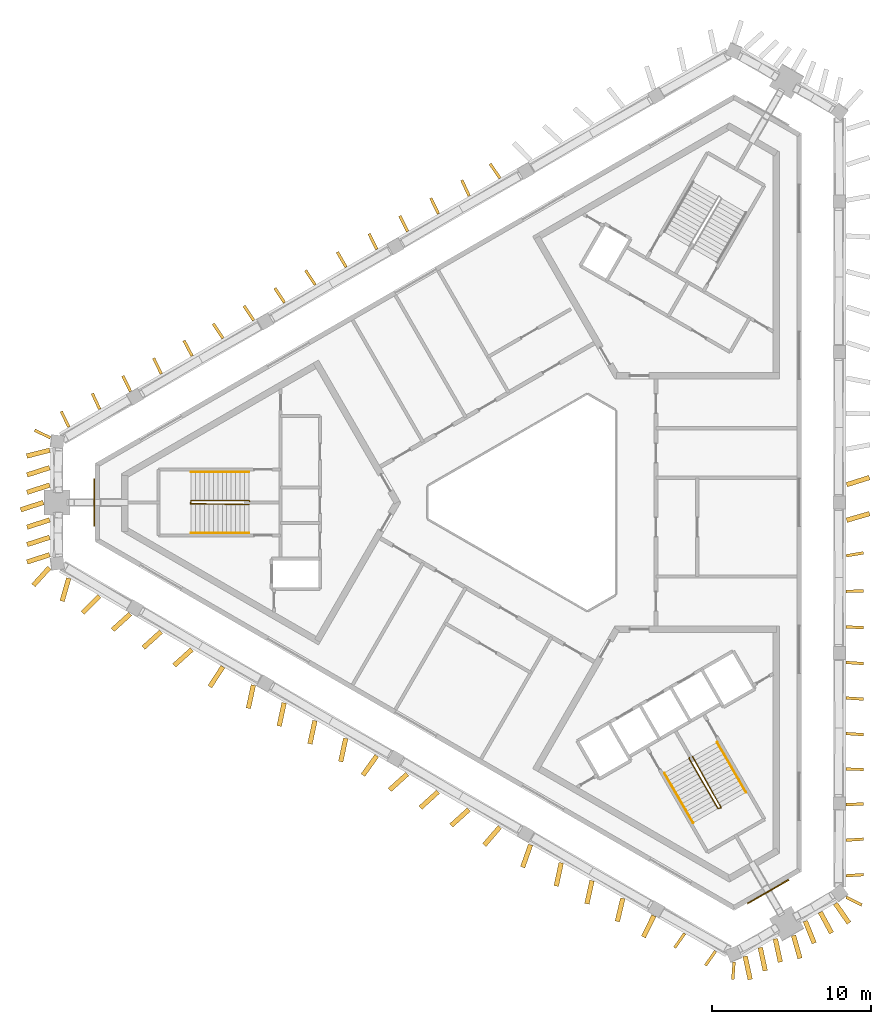
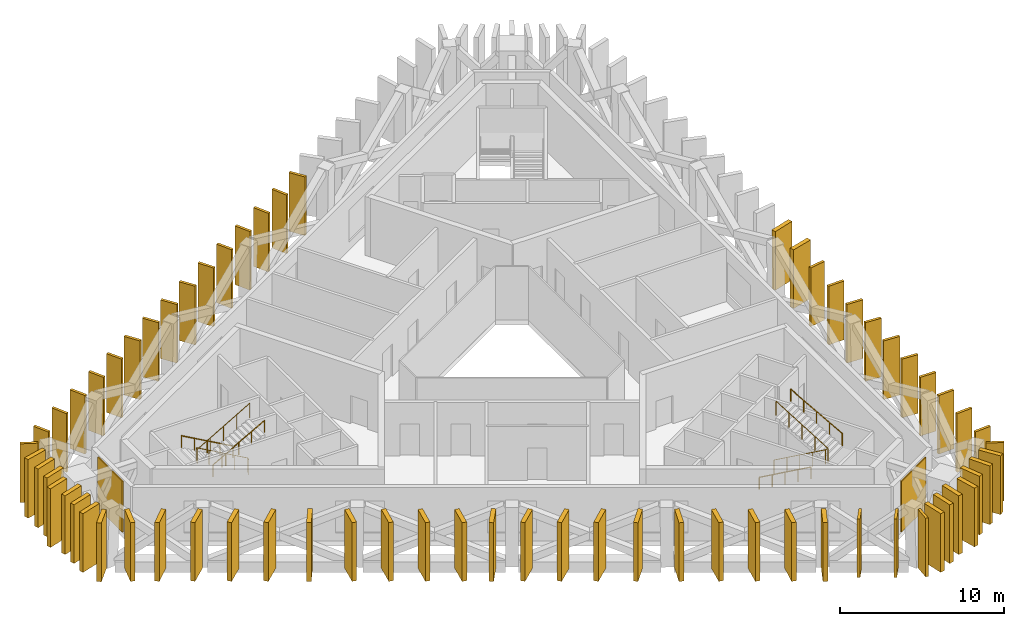
# One storey, part 7 of 8: 67 shading devices, 6 railings, 2 coverings.
"""IFC4 building model written with IfcOpenShell, lengths in metres."""

import ifcopenshell
import ifcopenshell.guid

model = None  # the IFC model being written
_history = None  # IfcOwnerHistory: only IFC2X3 demands one
_inside = {}  # id of a spatial element -> (the spatial element, [elements in it])
_under = {}  # id of a project, library or spatial element -> (it, [spatial elements below it])
_declared = {}  # id of a project -> (the project, [libraries it declares])
_typed = {}  # id of a type object -> (the type object, [elements of that type])
_made_of = {}  # id of a material, layer set ... -> (it, [elements and type objects made of it])


def new_model(schema):
    """Start an empty IFC model of exactly this schema.

    Asked for "IFC4X3", IfcOpenShell would pick the latest addendum, in which some entities
    have other attributes; the version numbers below select the first issue.
    IFC2X3 requires an IfcOwnerHistory on every rooted entity: one is made here for all.
    """
    global model, _history
    if schema == "IFC4X3":
        model = ifcopenshell.file(schema_version=(4, 3, 0, 0))
    else:
        model = ifcopenshell.file(schema=schema)
    _inside.clear()
    _under.clear()
    _declared.clear()
    _typed.clear()
    _made_of.clear()
    _history = None
    if model.schema == "IFC2X3":
        org = make("IfcOrganization", Name="unknown")
        user = make(
            "IfcPersonAndOrganization",
            ThePerson=make("IfcPerson", FamilyName="unknown"),
            TheOrganization=org,
        )
        app = make(
            "IfcApplication",
            ApplicationDeveloper=org,
            Version="unknown",
            ApplicationFullName="unknown",
            ApplicationIdentifier="unknown",
        )
        _history = make(
            "IfcOwnerHistory",
            OwningUser=user,
            OwningApplication=app,
            ChangeAction="ADDED",
            CreationDate=0,
        )
    return model


def make(cls, **values):
    """One entity of the class cls with the attributes given. An attribute that is None is left unset."""
    return model.create_entity(
        cls, **{name: value for name, value in values.items() if value is not None}
    )


def rooted(cls, **values):
    """An entity with a GlobalId (a new one), such as an element, a storey or a relation."""
    return make(cls, GlobalId=ifcopenshell.guid.new(), OwnerHistory=_history, **values)


def si_unit(unit_type, name, prefix=None):
    """IfcSIUnit, for example si_unit("LENGTHUNIT", "METRE", prefix="MILLI")."""
    return make("IfcSIUnit", UnitType=unit_type, Prefix=prefix, Name=name)


def assignment(units):
    """IfcUnitAssignment: the units of a project."""
    return None if units is None else make("IfcUnitAssignment", Units=units)


def point(xyz):
    """IfcCartesianPoint."""
    return None if xyz is None else make("IfcCartesianPoint", Coordinates=xyz)


def direction(xyz):
    """IfcDirection."""
    return None if xyz is None else make("IfcDirection", DirectionRatios=xyz)


def frame(location, z_axis=None, x_axis=None):
    """IfcAxis2Placement3D, a coordinate frame: its origin and axes. An axis left out is left unset."""
    return make(
        "IfcAxis2Placement3D",
        Location=point(location),
        Axis=direction(z_axis),
        RefDirection=direction(x_axis),
    )


def frame_2d(location, x_axis=None):
    """IfcAxis2Placement2D, a coordinate frame in the plane: its origin and x axis."""
    return make(
        "IfcAxis2Placement2D", Location=point(location), RefDirection=direction(x_axis)
    )


def origin():
    """The frame at (0, 0, 0) with its axes left unset."""
    return frame((0.0, 0.0, 0.0))


def origin_2d():
    """The frame at (0, 0) in the plane with its x axis left unset."""
    return frame_2d((0.0, 0.0))


def place(relative_to, where):
    """IfcLocalPlacement: puts the frame where relative to a parent placement (None: the world)."""
    return make(
        "IfcLocalPlacement", PlacementRelTo=relative_to, RelativePlacement=where
    )


def context(
    kind, dimensions, precision=None, world=None, true_north=None, identifier=None
):
    """IfcGeometricRepresentationContext, for example the 3D "Model" context."""
    return make(
        "IfcGeometricRepresentationContext",
        ContextIdentifier=identifier,
        ContextType=kind,
        CoordinateSpaceDimension=dimensions,
        Precision=precision,
        WorldCoordinateSystem=world,
        TrueNorth=true_north,
    )


def subcontext(parent, identifier, kind, view, scale=None):
    """IfcGeometricRepresentationSubContext, for example "Body" below "Model"."""
    return make(
        "IfcGeometricRepresentationSubContext",
        ContextIdentifier=identifier,
        ContextType=kind,
        ParentContext=parent,
        TargetScale=scale,
        TargetView=view,
    )


def project(units=None, contexts=None):
    """IfcProject with its units and contexts."""
    return rooted(
        "IfcProject",
        Name="project",
        RepresentationContexts=contexts,
        UnitsInContext=assignment(units),
    )


def spatial(cls, under=None, at=None, **own):
    """A site, building, storey or space (cls), placed at a placement, below another one or the project."""
    s = rooted(cls, ObjectPlacement=at, **own)
    if under is not None:
        _under.setdefault(under.id(), (under, []))[1].append(s)
    return s


def profile(cls, at=None, kind="AREA", **sizes):
    """A parametric profile (cls). Its sizes go by their IFC names, for example OverallWidth=200.0."""
    return make(cls, ProfileType=kind, Position=at, **sizes)


def rectangle(**sizes):
    """IfcRectangleProfileDef."""
    return profile("IfcRectangleProfileDef", **sizes)


def circle(**sizes):
    """IfcCircleProfileDef."""
    return profile("IfcCircleProfileDef", **sizes)


def extrude(swept, where, along, depth):
    """IfcExtrudedAreaSolid: the profile swept, set in the frame where, extruded along a direction by depth."""
    return make(
        "IfcExtrudedAreaSolid",
        SweptArea=swept,
        Position=where,
        ExtrudedDirection=direction(along),
        Depth=depth,
    )


def shape(context_of_items, identifier, shape_type, items):
    """IfcShapeRepresentation: the items that make up one representation, for example the "Body"."""
    return make(
        "IfcShapeRepresentation",
        ContextOfItems=context_of_items,
        RepresentationIdentifier=identifier,
        RepresentationType=shape_type,
        Items=items,
    )


def material(Name=None, Category=None):
    """IfcMaterial."""
    return make("IfcMaterial", Name=Name, Category=Category)


def layer(
    of_material, thickness, ventilated=None, Name=None, Category=None, Priority=None
):
    """IfcMaterialLayer: one layer of a wall or slab, of a material (None: an air gap)."""
    return make(
        "IfcMaterialLayer",
        Material=of_material,
        LayerThickness=thickness,
        IsVentilated=ventilated,
        Name=Name,
        Category=Category,
        Priority=Priority,
    )


def layer_set(layers, Name=None):
    """IfcMaterialLayerSet."""
    return make("IfcMaterialLayerSet", MaterialLayers=layers, LayerSetName=Name)


def made_of(thing, what):
    """Note that an element or type object is made of a material, layer set ...; save() writes the relation."""
    if what is not None:
        _made_of.setdefault(what.id(), (what, []))[1].append(thing)
    return thing


def type_object(cls, material=None, **own):
    """A type object (cls), such as IfcWallType, which elements share."""
    return made_of(rooted(cls, **own), material)


def element(
    cls,
    number,
    at=None,
    inside=None,
    cuts=None,
    type_object=None,
    material=None,
    context=None,
    identifier="Body",
    shape_type=None,
    held_by="IfcProductDefinitionShape",
    body=None,
    shapes=None,
    **own,
):
    """One element of the class cls, such as IfcWall. Its Tag is "e" and its number.

    at: its placement. inside: the storey or other place that contains it. cuts: it is an
    opening in that element (IfcRelVoidsElement). A single representation is given by context,
    identifier, shape_type and body (its items); several are given by shapes. held_by: the class
    of the entity that holds the representations. save() writes the other relations.
    """
    e = rooted(cls, Tag="e%d" % number, ObjectPlacement=at, **own)
    if body is not None:
        shapes = [shape(context, identifier, shape_type, body)]
    if shapes is not None:
        e.Representation = make(held_by, Representations=shapes)
    if inside is not None:
        _inside.setdefault(inside.id(), (inside, []))[1].append(e)
    if cuts is not None:
        rooted(
            "IfcRelVoidsElement", RelatingBuildingElement=cuts, RelatedOpeningElement=e
        )
    if type_object is not None:
        _typed.setdefault(type_object.id(), (type_object, []))[1].append(e)
    return made_of(e, material)


def aggregate(whole, parts):
    """IfcRelAggregates: a whole, such as a stair, and the parts it consists of."""
    return rooted("IfcRelAggregates", RelatingObject=whole, RelatedObjects=parts)


def save(model, path):
    """Write the relations noted so far, then the file.

    IfcRelAggregates (storeys below a building ...), IfcRelContainedInSpatialStructure (elements
    in a storey), IfcRelDefinesByType, IfcRelAssociatesMaterial and IfcRelDeclares: one each for
    every whole, place, type object, material and project.
    """
    for whole, parts in _under.values():
        aggregate(whole, parts)
    for where, things in _inside.values():
        rooted(
            "IfcRelContainedInSpatialStructure",
            RelatedElements=things,
            RelatingStructure=where,
        )
    for kind, things in _typed.values():
        rooted("IfcRelDefinesByType", RelatedObjects=things, RelatingType=kind)
    for what, things in _made_of.values():
        rooted("IfcRelAssociatesMaterial", RelatedObjects=things, RelatingMaterial=what)
    for by, libraries in _declared.values():
        rooted("IfcRelDeclares", RelatingContext=by, RelatedDefinitions=libraries)
    model.write(path)


model = new_model("IFC4")

# Units and contexts
model_context = context("Model", 3, precision=1e-05, world=origin(), true_north=direction((0.0, 1.0)))
body_context = subcontext(model_context, "Body", "Model", "MODEL_VIEW")
ifc_project = project(units=[si_unit("LENGTHUNIT", "METRE"), si_unit("AREAUNIT", "SQUARE_METRE"), si_unit("VOLUMEUNIT", "CUBIC_METRE"), si_unit("PLANEANGLEUNIT", "RADIAN"), si_unit("MASSUNIT", "GRAM", prefix="KILO")], contexts=[model_context])

# Site, building, storey
site_placement = place(None, origin())
site = spatial("IfcSite", under=ifc_project, at=site_placement, CompositionType="ELEMENT")
building_placement = place(site_placement, origin())
building = spatial("IfcBuilding", under=site, at=building_placement, Name="Jabali Bay Hotel Tower and Convention Centre", CompositionType="ELEMENT")
storey_placement = place(building_placement, frame((0.0, 0.0, 296.0)))
storey = spatial("IfcBuildingStorey", under=building, at=storey_placement, Name="L73", CompositionType="ELEMENT", Elevation=296.0)

# Shading devices
ifc_material_1 = material(Name="Precast concrete C60", Category="concrete")
ifc_layer_1 = layer(ifc_material_1, 0.179931640625)
ifc_layer_set_1 = layer_set([ifc_layer_1], Name="Precast concrete C60")
shading_device_type_1 = type_object("IfcShadingDeviceType", Name="Precast fin 4380 x 1100", PredefinedType="USERDEFINED", material=ifc_layer_set_1)
for number, where, z_axis, x_axis, name in (
    (1, (94.08544921875, 56.4560546875, 0.010009765625), (0.0, 0.0, 1.0), (0.998024840897, 0.062820513784, 0.0), "Fin L73 000"),
    (2, (94.08544921875, 58.6982421875, 0.010009765625), (0.0, 0.0, 1.0), (0.998038733991, 0.062599404579, 0.0), "Fin L73 001"),
    (3, (94.083740234375, 60.9404296875, 0.010009765625), (0.0, 0.0, 1.0), (0.99900437653, 0.044612281645, 0.0), "Fin L73 002"),
):
    element("IfcShadingDevice", number, at=place(storey_placement, frame(where, z_axis=z_axis, x_axis=x_axis)), inside=storey, type_object=shading_device_type_1, Name=name, ObjectType="FIN", PredefinedType="USERDEFINED", context=body_context, shape_type="SweptSolid", body=[
        extrude(rectangle(XDim=1.099853515625, YDim=0.179931640625, at=frame_2d((0.5498046875, 0.0))), origin(), (0.0, 0.0, 1.0), 4.3798828125),
    ])
shading_device_1_placement = place(storey_placement, frame((94.0810546875, 63.182861328125, 0.010009765625), z_axis=(0.0, 0.0, 1.0), x_axis=(0.999875830133, -0.015758309421, 0.0)))
element("IfcShadingDevice", 4, at=shading_device_1_placement, inside=storey, type_object=shading_device_type_1, Name="Fin L73 003", ObjectType="FIN", PredefinedType="USERDEFINED", context=body_context, shape_type="SweptSolid", body=[
    extrude(rectangle(XDim=1.10009765625, YDim=0.179931640625, at=frame_2d((0.550048828125, 0.0))), origin(), (0.0, 0.0, 1.0), 4.3798828125),
])
shading_device_2_placement = place(storey_placement, frame((94.08544921875, 65.425048828125, 0.010009765625), z_axis=(0.0, 0.0, 1.0), x_axis=(0.997996908928, -0.063262704414, 0.0)))
element("IfcShadingDevice", 5, at=shading_device_2_placement, inside=storey, type_object=shading_device_type_1, Name="Fin L73 004", ObjectType="FIN", PredefinedType="USERDEFINED", context=body_context, shape_type="SweptSolid", body=[
    extrude(rectangle(XDim=1.099853515625, YDim=0.179931640625, at=frame_2d((0.5498046875, 0.0))), origin(), (0.0, 0.0, 1.0), 4.3798828125),
])
shading_device_3_placement = place(storey_placement, frame((94.08544921875, 67.66748046875, 0.010009765625), z_axis=(0.0, 0.0, 1.0), x_axis=(0.997927148226, -0.064353763172, 0.0)))
element("IfcShadingDevice", 6, at=shading_device_3_placement, inside=storey, type_object=shading_device_type_1, Name="Fin L73 005", ObjectType="FIN", PredefinedType="USERDEFINED", context=body_context, shape_type="SweptSolid", body=[
    extrude(rectangle(XDim=1.10009765625, YDim=0.179931640625, at=frame_2d((0.550048828125, 0.0))), origin(), (0.0, 0.0, 1.0), 4.3798828125),
])
for number, where, z_axis, x_axis, name in (
    (7, (94.0859375, 69.90966796875, 0.010009765625), (0.0, 0.0, 1.0), (0.99769087642, -0.067918444535, 0.0), "Fin L73 006"),
    (8, (94.083740234375, 72.152099609375, 0.010009765625), (0.0, 0.0, 1.0), (0.999033832105, -0.043947722452, 0.0), "Fin L73 007"),
):
    element("IfcShadingDevice", number, at=place(storey_placement, frame(where, z_axis=z_axis, x_axis=x_axis)), inside=storey, type_object=shading_device_type_1, Name=name, ObjectType="FIN", PredefinedType="USERDEFINED", context=body_context, shape_type="SweptSolid", body=[
        extrude(rectangle(XDim=1.099853515625, YDim=0.179931640625, at=frame_2d((0.5498046875, 0.0))), origin(), (0.0, 0.0, 1.0), 4.3798828125),
    ])
for number, where, z_axis, x_axis, name in (
    (9, (94.081787109375, 74.394287109375, 0.010009765625), (0.0, 0.0, 1.0), (0.999723298279, 0.023522901136, 0.0), "Fin L73 008"),
    (10, (94.0947265625, 76.636474609375, 0.010009765625), (0.0, 0.0, 1.0), (0.985860980031, 0.167565294895, 0.0), "Fin L73 009"),
):
    element("IfcShadingDevice", number, at=place(storey_placement, frame(where, z_axis=z_axis, x_axis=x_axis)), inside=storey, type_object=shading_device_type_1, Name=name, ObjectType="FIN", PredefinedType="USERDEFINED", context=body_context, shape_type="SweptSolid", body=[
        extrude(rectangle(XDim=1.10009765625, YDim=0.179931640625, at=frame_2d((0.550048828125, 0.0))), origin(), (0.0, 0.0, 1.0), 4.3798828125),
    ])
shading_device_4_placement = place(storey_placement, frame((72.253173828125, 100.45361328125, 0.010009765625), z_axis=(0.0, 0.0, 1.0), x_axis=(-0.564954456902, 0.825122088922, 0.0)))
element("IfcShadingDevice", 11, at=shading_device_4_placement, inside=storey, type_object=shading_device_type_1, Name="Fin L73 036", ObjectType="FIN", PredefinedType="USERDEFINED", context=body_context, shape_type="SweptSolid", body=[
    extrude(rectangle(XDim=1.099853515625, YDim=0.179931640625, at=frame_2d((0.5498046875, 0.0))), origin(), (0.0, 0.0, 1.0), 4.3798828125),
])
shading_device_5_placement = place(storey_placement, frame((70.310791015625, 99.333251953125, 0.010009765625), z_axis=(0.0, 0.0, 1.0), x_axis=(-0.420563499352, 0.907263105727, 0.0)))
element("IfcShadingDevice", 12, at=shading_device_5_placement, inside=storey, type_object=shading_device_type_1, Name="Fin L73 037", ObjectType="FIN", PredefinedType="USERDEFINED", context=body_context, shape_type="SweptSolid", body=[
    extrude(rectangle(XDim=1.10009765625, YDim=0.179931640625, at=frame_2d((0.550048828125, 0.0))), origin(), (0.0, 0.0, 1.0), 4.3798828125),
])
shading_device_6_placement = place(storey_placement, frame((68.36962890625, 98.2109375, 0.010009765625), z_axis=(0.0, 0.0, 1.0), x_axis=(-0.43572337321, 0.900080630854, 0.0)))
element("IfcShadingDevice", 13, at=shading_device_6_placement, inside=storey, type_object=shading_device_type_1, Name="Fin L73 038", ObjectType="FIN", PredefinedType="USERDEFINED", context=body_context, shape_type="SweptSolid", body=[
    extrude(rectangle(XDim=1.099853515625, YDim=0.179931640625, at=frame_2d((0.5498046875, 0.0))), origin(), (0.0, 0.0, 1.0), 4.3798828125),
])
shading_device_7_placement = place(storey_placement, frame((66.42822265625, 97.089111328125, 0.010009765625), z_axis=(0.0, 0.0, 1.0), x_axis=(-0.442057723155, 0.896986604916, 0.0)))
element("IfcShadingDevice", 14, at=shading_device_7_placement, inside=storey, type_object=shading_device_type_1, Name="Fin L73 039", ObjectType="FIN", PredefinedType="USERDEFINED", context=body_context, shape_type="SweptSolid", body=[
    extrude(rectangle(XDim=1.10009765625, YDim=0.179931640625, at=frame_2d((0.550048828125, 0.0))), origin(), (0.0, 0.0, 1.0), 4.3798828125),
])
shading_device_8_placement = place(storey_placement, frame((64.486328125, 95.968017578125, 0.010009765625), z_axis=(0.0, 0.0, 1.0), x_axis=(-0.443925530237, 0.896063682784, 0.0)))
element("IfcShadingDevice", 15, at=shading_device_8_placement, inside=storey, type_object=shading_device_type_1, Name="Fin L73 040", ObjectType="FIN", PredefinedType="USERDEFINED", context=body_context, shape_type="SweptSolid", body=[
    extrude(rectangle(XDim=1.099853515625, YDim=0.179931640625, at=frame_2d((0.5498046875, 0.0))), origin(), (0.0, 0.0, 1.0), 4.3798828125),
])
for number, where, z_axis, x_axis, name in (
    (16, (62.54736328125, 94.841796875, 0.010009765625), (0.0, 0.0, 1.0), (-0.499767280476, 0.866159722779, 0.0), "Fin L73 041"),
    (17, (60.6025390625, 93.7255859375, 0.010009765625), (0.0, 0.0, 1.0), (-0.553316522906, 0.832971083219, 0.0), "Fin L73 042"),
    (18, (58.66064453125, 92.6044921875, 0.010009765625), (0.0, 0.0, 1.0), (-0.553316522906, 0.832971083219, 0.0), "Fin L73 043"),
    (19, (56.71875, 91.483154296875, 0.010009765625), (0.0, 0.0, 1.0), (-0.553316522906, 0.832971083219, 0.0), "Fin L73 044"),
    (20, (54.77685546875, 90.362060546875, 0.010009765625), (0.0, 0.0, 1.0), (-0.553316522906, 0.832971083219, 0.0), "Fin L73 045"),
):
    element("IfcShadingDevice", number, at=place(storey_placement, frame(where, z_axis=z_axis, x_axis=x_axis)), inside=storey, type_object=shading_device_type_1, Name=name, ObjectType="FIN", PredefinedType="USERDEFINED", context=body_context, shape_type="SweptSolid", body=[
        extrude(rectangle(XDim=1.10009765625, YDim=0.179931640625, at=frame_2d((0.550048828125, 0.0))), origin(), (0.0, 0.0, 1.0), 4.3798828125),
    ])
for number, where, z_axis, x_axis, name in (
    (21, (52.836181640625, 89.239013671875, 0.010009765625), (0.0, 0.0, 1.0), (-0.466990067403, 0.884262561091, 0.0), "Fin L73 046"),
    (22, (50.89306640625, 88.1201171875, 0.010009765625), (0.0, 0.0, 1.0), (-0.442590842644, 0.896723673161, 0.0), "Fin L73 047"),
    (23, (48.950927734375, 86.999267578125, 0.010009765625), (0.0, 0.0, 1.0), (-0.438134996006, 0.898909186334, 0.0), "Fin L73 048"),
):
    element("IfcShadingDevice", number, at=place(storey_placement, frame(where, z_axis=z_axis, x_axis=x_axis)), inside=storey, type_object=shading_device_type_1, Name=name, ObjectType="FIN", PredefinedType="USERDEFINED", context=body_context, shape_type="SweptSolid", body=[
        extrude(rectangle(XDim=1.099853515625, YDim=0.179931640625, at=frame_2d((0.5498046875, 0.0))), origin(), (0.0, 0.0, 1.0), 4.3798828125),
    ])
for number, where, z_axis, x_axis, name in (
    (24, (47.00830078125, 85.87939453125, 0.010009765625), (0.0, 0.0, 1.0), (-0.421913209911, 0.906636224349, 0.0), "Fin L73 049"),
    (25, (45.0673828125, 84.756591796875, 0.010009765625), (0.0, 0.0, 1.0), (-0.441433910619, 0.89729376603, 0.0), "Fin L73 050"),
    (26, (83.904052734375, 52.81884765625, 0.010009765625), (0.0, 0.0, 1.0), (-0.573507030513, -0.819200638399, 0.0), "Fin L73 078"),
):
    element("IfcShadingDevice", number, at=place(storey_placement, frame(where, z_axis=z_axis, x_axis=x_axis)), inside=storey, type_object=shading_device_type_1, Name=name, ObjectType="FIN", PredefinedType="USERDEFINED", context=body_context, shape_type="SweptSolid", body=[
        extrude(rectangle(XDim=1.10009765625, YDim=0.179931640625, at=frame_2d((0.550048828125, 0.0))), origin(), (0.0, 0.0, 1.0), 4.3798828125),
    ])
shading_device_9_placement = place(storey_placement, frame((85.845947265625, 51.69775390625, 0.010009765625), z_axis=(0.0, 0.0, 1.0), x_axis=(-0.573104767766, -0.819482107897, 0.0)))
element("IfcShadingDevice", 27, at=shading_device_9_placement, inside=storey, type_object=shading_device_type_1, Name="Fin L73 079", ObjectType="FIN", PredefinedType="USERDEFINED", context=body_context, shape_type="SweptSolid", body=[
    extrude(rectangle(XDim=1.099853515625, YDim=0.179931640625, at=frame_2d((0.5498046875, 0.0))), origin(), (0.0, 0.0, 1.0), 4.3798828125),
])
for number, where, z_axis, x_axis, name in (
    (28, (94.093017578125, 55.09619140625, 0.010009765625), (0.0, 0.0, 1.0), (0.895754873288, -0.444548317937, 0.0), "Fin L73 087"),
    (29, (43.896728515625, 84.0771484375, 0.010009765625), (0.0, 0.0, 1.0), (-0.900209772515, 0.435456502385, 0.0), "Fin L73 090"),
):
    element("IfcShadingDevice", number, at=place(storey_placement, frame(where, z_axis=z_axis, x_axis=x_axis)), inside=storey, type_object=shading_device_type_1, Name=name, ObjectType="FIN", PredefinedType="USERDEFINED", context=body_context, shape_type="SweptSolid", body=[
        extrude(rectangle(XDim=1.10009765625, YDim=0.179931640625, at=frame_2d((0.550048828125, 0.0))), origin(), (0.0, 0.0, 1.0), 4.3798828125),
    ])
shading_device_10_placement = place(storey_placement, frame((87.020751953125, 51.01171875, 0.010009765625), z_axis=(0.0, 0.0, 1.0), x_axis=(-0.075474228836, -0.997147752734, 0.0)))
element("IfcShadingDevice", 30, at=shading_device_10_placement, inside=storey, type_object=shading_device_type_1, Name="Fin L73 092", ObjectType="FIN", PredefinedType="USERDEFINED", context=body_context, shape_type="SweptSolid", body=[
    extrude(rectangle(XDim=1.099853515625, YDim=0.179931640625, at=frame_2d((0.5498046875, 0.0))), origin(), (0.0, 0.0, 1.0), 4.3798828125),
])
ifc_layer_2 = layer(ifc_material_1, 0.300048828125)
ifc_layer_set_2 = layer_set([ifc_layer_2], Name="Precast concrete C60")
shading_device_type_2 = type_object("IfcShadingDeviceType", Name="Precast fin 4380 x 1500", PredefinedType="USERDEFINED", material=ifc_layer_set_2)
shading_device_11_placement = place(storey_placement, frame((94.121337890625, 78.87890625, 0.010009765625), z_axis=(0.0, 0.0, 1.0), x_axis=(0.960857761515, 0.277042166712, 0.0)))
element("IfcShadingDevice", 31, at=shading_device_11_placement, inside=storey, type_object=shading_device_type_2, Name="Fin L73 010", ObjectType="FIN", PredefinedType="USERDEFINED", context=body_context, shape_type="SweptSolid", body=[
    extrude(rectangle(XDim=1.499755859375, YDim=0.300048828125, at=frame_2d((0.75, 0.0))), origin(), (0.0, 0.0, 1.0), 4.3798828125),
])
for number, where, z_axis, x_axis, name in (
    (32, (94.124755859375, 81.12109375, 0.010009765625), (0.0, 0.0, 1.0), (0.953793981343, 0.300461380471, 0.0), "Fin L73 011"),
    (33, (43.86279296875, 83.29541015625, 0.010009765625), (0.0, 0.0, 1.0), (-0.969497683666, -0.245100471983, 0.0), "Fin L73 051"),
    (34, (43.853515625, 82.19677734375, 0.010009765625), (0.0, 0.0, 1.0), (-0.951825135568, -0.306641339844, 0.0), "Fin L73 052"),
    (35, (43.853515625, 81.098388671875, 0.010009765625), (0.0, 0.0, 1.0), (-0.951777621698, -0.30678878538, 0.0), "Fin L73 053"),
):
    element("IfcShadingDevice", number, at=place(storey_placement, frame(where, z_axis=z_axis, x_axis=x_axis)), inside=storey, type_object=shading_device_type_2, Name=name, ObjectType="FIN", PredefinedType="USERDEFINED", context=body_context, shape_type="SweptSolid", body=[
        extrude(rectangle(XDim=1.5, YDim=0.300048828125, at=frame_2d((0.75, 0.0))), origin(), (0.0, 0.0, 1.0), 4.3798828125),
    ])
shading_device_12_placement = place(storey_placement, frame((43.453857421875, 80.0, 0.010009765625), z_axis=(0.0, 0.0, 1.0), x_axis=(-0.951762299961, -0.306836315277, 0.0)))
element("IfcShadingDevice", 36, at=shading_device_12_placement, inside=storey, type_object=shading_device_type_2, Name="Fin L73 054", ObjectType="FIN", PredefinedType="USERDEFINED", context=body_context, shape_type="SweptSolid", body=[
    extrude(rectangle(XDim=1.499755859375, YDim=0.300048828125, at=frame_2d((0.75, 0.0))), origin(), (0.0, 0.0, 1.0), 4.3798828125),
])
for number, where, z_axis, x_axis, name in (
    (37, (43.853515625, 78.901611328125, 0.010009765625), (0.0, 0.0, 1.0), (-0.951777621698, -0.30678878538, 0.0), "Fin L73 055"),
    (38, (43.853515625, 77.80322265625, 0.010009765625), (0.0, 0.0, 1.0), (-0.951777621698, -0.30678878538, 0.0), "Fin L73 056"),
    (39, (43.853515625, 76.70458984375, 0.010009765625), (0.0, 0.0, 1.0), (-0.951825135568, -0.306641339844, 0.0), "Fin L73 057"),
    (40, (45.05224609375, 75.21728515625, 0.010009765625), (0.0, 0.0, 1.0), (-0.276354401859, -0.961055796805, 0.0), "Fin L73 058"),
    (41, (46.992431640625, 74.093017578125, 0.010009765625), (0.0, 0.0, 1.0), (-0.711730100616, -0.702453033218, 0.0), "Fin L73 059"),
    (42, (48.93115234375, 72.966552734375, 0.010009765625), (0.0, 0.0, 1.0), (-0.741543490988, -0.670904800231, 0.0), "Fin L73 060"),
    (43, (50.873046875, 71.84521484375, 0.010009765625), (0.0, 0.0, 1.0), (-0.741543490988, -0.670904800231, 0.0), "Fin L73 061"),
    (44, (52.81494140625, 70.72412109375, 0.010009765625), (0.0, 0.0, 1.0), (-0.741543490988, -0.670904800231, 0.0), "Fin L73 062"),
    (45, (54.775634765625, 69.635498046875, 0.010009765625), (0.0, 0.0, 1.0), (-0.547543150511, -0.836777448506, 0.0), "Fin L73 063"),
):
    element("IfcShadingDevice", number, at=place(storey_placement, frame(where, z_axis=z_axis, x_axis=x_axis)), inside=storey, type_object=shading_device_type_2, Name=name, ObjectType="FIN", PredefinedType="USERDEFINED", context=body_context, shape_type="SweptSolid", body=[
        extrude(rectangle(XDim=1.5, YDim=0.300048828125, at=frame_2d((0.75, 0.0))), origin(), (0.0, 0.0, 1.0), 4.3798828125),
    ])
shading_device_13_placement = place(storey_placement, frame((56.69873046875, 68.481689453125, 0.010009765625), z_axis=(0.0, 0.0, 1.0), x_axis=(-0.210307173215, -0.977635357838, 0.0)))
element("IfcShadingDevice", 46, at=shading_device_13_placement, inside=storey, type_object=shading_device_type_2, Name="Fin L73 064", ObjectType="FIN", PredefinedType="USERDEFINED", context=body_context, shape_type="SweptSolid", body=[
    extrude(rectangle(XDim=1.499755859375, YDim=0.300048828125, at=frame_2d((0.75, 0.0))), origin(), (0.0, 0.0, 1.0), 4.3798828125),
])
for number, where, z_axis, x_axis, name in (
    (47, (58.640625, 67.360595703125, 0.010009765625), (0.0, 0.0, 1.0), (-0.210273710971, -0.977642555577, 0.0), "Fin L73 065"),
    (48, (60.58251953125, 66.239501953125, 0.010009765625), (0.0, 0.0, 1.0), (-0.210273710971, -0.977642555577, 0.0), "Fin L73 066"),
    (49, (62.5244140625, 65.118408203125, 0.010009765625), (0.0, 0.0, 1.0), (-0.210273710971, -0.977642555577, 0.0), "Fin L73 067"),
    (50, (64.48193359375, 64.024658203125, 0.010009765625), (0.0, 0.0, 1.0), (-0.58089942137, -0.81397534499, 0.0), "Fin L73 068"),
    (51, (66.407958984375, 62.8759765625, 0.010009765625), (0.0, 0.0, 1.0), (-0.741543490988, -0.670904800231, 0.0), "Fin L73 069"),
    (52, (68.349853515625, 61.7548828125, 0.010009765625), (0.0, 0.0, 1.0), (-0.741543490988, -0.670904800231, 0.0), "Fin L73 070"),
    (53, (70.291748046875, 60.6337890625, 0.010009765625), (0.0, 0.0, 1.0), (-0.741543490988, -0.670904800231, 0.0), "Fin L73 071"),
    (54, (72.242919921875, 59.5283203125, 0.010009765625), (0.0, 0.0, 1.0), (-0.65214404608, -0.758095075279, 0.0), "Fin L73 072"),
    (55, (74.18505859375, 58.40771484375, 0.010009765625), (0.0, 0.0, 1.0), (-0.33496471321, -0.942230672874, 0.0), "Fin L73 073"),
    (56, (76.117431640625, 57.2705078125, 0.010009765625), (0.0, 0.0, 1.0), (-0.211084858258, -0.977467739935, 0.0), "Fin L73 074"),
):
    element("IfcShadingDevice", number, at=place(storey_placement, frame(where, z_axis=z_axis, x_axis=x_axis)), inside=storey, type_object=shading_device_type_2, Name=name, ObjectType="FIN", PredefinedType="USERDEFINED", context=body_context, shape_type="SweptSolid", body=[
        extrude(rectangle(XDim=1.5, YDim=0.300048828125, at=frame_2d((0.75, 0.0))), origin(), (0.0, 0.0, 1.0), 4.3798828125),
    ])
shading_device_14_placement = place(storey_placement, frame((78.0595703125, 56.149658203125, 0.010009765625), z_axis=(0.0, 0.0, 1.0), x_axis=(-0.214551231073, -0.976712736297, 0.0)))
element("IfcShadingDevice", 57, at=shading_device_14_placement, inside=storey, type_object=shading_device_type_2, Name="Fin L73 075", ObjectType="FIN", PredefinedType="USERDEFINED", context=body_context, shape_type="SweptSolid", body=[
    extrude(rectangle(XDim=1.499755859375, YDim=0.300048828125, at=frame_2d((0.75, 0.0))), origin(), (0.0, 0.0, 1.0), 4.3798828125),
])
for number, where, z_axis, x_axis, name in (
    (58, (80.002685546875, 55.03076171875, 0.010009765625), (0.0, 0.0, 1.0), (-0.231297766665, -0.972883005883, 0.0), "Fin L73 076"),
    (59, (81.9609375, 53.937744140625, 0.010009765625), (0.0, 0.0, 1.0), (-0.43833704405, -0.898810678516, 0.0), "Fin L73 077"),
    (60, (87.719482421875, 51.378662109375, 0.010009765625), (0.0, 0.0, 1.0), (0.210118148459, -0.977676001387, 0.0), "Fin L73 080"),
):
    element("IfcShadingDevice", number, at=place(storey_placement, frame(where, z_axis=z_axis, x_axis=x_axis)), inside=storey, type_object=shading_device_type_2, Name=name, ObjectType="FIN", PredefinedType="USERDEFINED", context=body_context, shape_type="SweptSolid", body=[
        extrude(rectangle(XDim=1.5, YDim=0.300048828125, at=frame_2d((0.75, 0.0))), origin(), (0.0, 0.0, 1.0), 4.3798828125),
    ])
shading_device_15_placement = place(storey_placement, frame((88.670654296875, 51.927734375, 0.010009765625), z_axis=(0.0, 0.0, 1.0), x_axis=(0.210307173215, -0.977635357838, 0.0)))
element("IfcShadingDevice", 61, at=shading_device_15_placement, inside=storey, type_object=shading_device_type_2, Name="Fin L73 081", ObjectType="FIN", PredefinedType="USERDEFINED", context=body_context, shape_type="SweptSolid", body=[
    extrude(rectangle(XDim=1.499755859375, YDim=0.300048828125, at=frame_2d((0.75, 0.0))), origin(), (0.0, 0.0, 1.0), 4.3798828125),
])
for number, where, z_axis, x_axis, name in (
    (62, (89.6220703125, 52.47705078125, 0.010009765625), (0.0, 0.0, 1.0), (0.210118148459, -0.977676001387, 0.0), "Fin L73 082"),
    (63, (90.768310546875, 52.6884765625, 0.010009765625), (0.0, 0.0, 1.0), (0.273280513115, -0.961934385055, 0.0), "Fin L73 083"),
    (64, (91.511962890625, 53.59716796875, 0.010009765625), (0.0, 0.0, 1.0), (0.373690586218, -0.927553419363, 0.0), "Fin L73 084"),
    (65, (92.454833984375, 54.1611328125, 0.010009765625), (0.0, 0.0, 1.0), (0.476718276785, -0.879056132781, 0.0), "Fin L73 085"),
):
    element("IfcShadingDevice", number, at=place(storey_placement, frame(where, z_axis=z_axis, x_axis=x_axis)), inside=storey, type_object=shading_device_type_2, Name=name, ObjectType="FIN", PredefinedType="USERDEFINED", context=body_context, shape_type="SweptSolid", body=[
        extrude(rectangle(XDim=1.5, YDim=0.300048828125, at=frame_2d((0.75, 0.0))), origin(), (0.0, 0.0, 1.0), 4.3798828125),
    ])
shading_device_16_placement = place(storey_placement, frame((93.410400390625, 54.702880859375, 0.010009765625), z_axis=(0.0, 0.0, 1.0), x_axis=(0.571560289652, -0.820560074153, 0.0)))
element("IfcShadingDevice", 66, at=shading_device_16_placement, inside=storey, type_object=shading_device_type_2, Name="Fin L73 086", ObjectType="FIN", PredefinedType="USERDEFINED", context=body_context, shape_type="SweptSolid", body=[
    extrude(rectangle(XDim=1.500244140625, YDim=0.300048828125, at=frame_2d((0.75, 0.0))), origin(), (0.0, 0.0, 1.0), 4.3798828125),
])
shading_device_17_placement = place(storey_placement, frame((43.831787109375, 75.885498046875, 0.010009765625), z_axis=(0.0, 0.0, 1.0), x_axis=(-0.67158644981, -0.740926204444, 0.0)))
element("IfcShadingDevice", 67, at=shading_device_17_placement, inside=storey, type_object=shading_device_type_2, Name="Fin L73 091", ObjectType="FIN", PredefinedType="USERDEFINED", context=body_context, shape_type="SweptSolid", body=[
    extrude(rectangle(XDim=1.5, YDim=0.300048828125, at=frame_2d((0.75, 0.0))), origin(), (0.0, 0.0, 1.0), 4.3798828125),
])

# Coverings
ifc_material_2 = material(Name="Precast concrete C40/50", Category="concrete")
ifc_layer_3 = layer(ifc_material_2, 0.080078125)
ifc_layer_set_3 = layer_set([ifc_layer_3], Name="Precast concrete C40/50")
covering_type = type_object("IfcCoveringType", Name="Relief panel 3000 x 3800", PredefinedType="CLADDING", material=ifc_layer_set_3)
for number, where, z_axis, x_axis, name in (
    (68, (46.659423828125, 80.0, 0.10009765625), (0.0, 0.0, 1.0), (0.0, 1.0, 0.0), "Relief panel L73"),
    (69, (89.170166015625, 55.456298828125, 0.10009765625), (0.0, 0.0, 1.0), (-0.866025443735, -0.499999930804, 0.0), "Relief panel L73"),
):
    element("IfcCovering", number, at=place(storey_placement, frame(where, z_axis=z_axis, x_axis=x_axis)), inside=storey, type_object=covering_type, Name=name, PredefinedType="CLADDING", context=body_context, shape_type="SweptSolid", body=[
        extrude(rectangle(XDim=3.0, YDim=0.080078125, at=origin_2d()), origin(), (0.0, 0.0, 1.0), 3.800048828125),
    ])

# Railings
ifc_material_3 = material(Name="Steel Q355B", Category="steel")
railing_type_1 = type_object("IfcRailingType", Name="Stair guard 1100", PredefinedType="GUARDRAIL", material=ifc_material_3)
railing_1_placement = place(storey_placement, frame((56.469970703125, 80.074951171875, 0.0)))
element("IfcRailing", 70, at=railing_1_placement, inside=storey, type_object=railing_type_1, Name="L73 ST1 stair guard 1", PredefinedType="GUARDRAIL", context=body_context, shape_type="SweptSolid", body=[
    extrude(circle(Radius=0.02392578125, at=origin_2d()), frame((0.0, 0.0, 1.076171875), z_axis=(-0.290266377826, 0.290266377826, 0.911861206439), x_axis=(-0.707106781187, -0.707106781187, 0.0)), (0.0, 0.0, 1.0), 0.17236328125),
    extrude(circle(Radius=0.02392578125, at=origin_2d()), frame((-0.050048828125, 0.050048828125, 1.2333984375), z_axis=(-0.872057804188, 0.0, 0.489402887359), x_axis=(0.0, -1.0, 0.0)), (0.0, 0.0, 1.0), 4.173828125),
    extrude(circle(Radius=0.02392578125, at=origin_2d()), frame((-3.68994140625, 0.050048828125, 3.27587890625), z_axis=(-0.242814311512, -0.970072785993, 0.0), x_axis=(0.970072785993, -0.242814311512, 0.0)), (0.0, 0.0, 1.0), 0.2060546875),
    extrude(circle(Radius=0.02392578125, at=origin_2d()), frame((-3.739990234375, -0.14990234375, 3.27587890625), z_axis=(0.858870423873, -0.011649360652, 0.512060433341), x_axis=(0.013562335953, 0.999908027292, 0.0)), (0.0, 0.0, 1.0), 4.29638671875),
    extrude(circle(Radius=0.02099609375, at=origin_2d()), origin(), (0.0, 0.0, 1.0), 1.052001953125),
    extrude(circle(Radius=0.02099609375, at=origin_2d()), frame((-0.050048828125, 0.050048828125, 0.1572265625)), (0.0, 0.0, 1.0), 1.052001953125),
    extrude(circle(Radius=0.02099609375, at=origin_2d()), frame((-0.9599609375, 0.050048828125, 0.66796875)), (0.0, 0.0, 1.0), 1.052001953125),
    extrude(circle(Radius=0.02099609375, at=origin_2d()), frame((-1.8701171875, 0.050048828125, 1.1787109375)), (0.0, 0.0, 1.0), 1.052001953125),
    extrude(circle(Radius=0.02099609375, at=origin_2d()), frame((-2.780029296875, 0.050048828125, 1.689208984375)), (0.0, 0.0, 1.0), 1.052001953125),
    extrude(circle(Radius=0.02099609375, at=origin_2d()), frame((-3.68994140625, 0.050048828125, 2.199951171875)), (0.0, 0.0, 1.0), 1.052001953125),
    extrude(circle(Radius=0.02099609375, at=origin_2d()), frame((-3.739990234375, -0.14990234375, 2.199951171875)), (0.0, 0.0, 1.0), 1.052001953125),
    extrude(circle(Radius=0.02099609375, at=origin_2d()), frame((-2.8173828125, -0.162353515625, 2.75)), (0.0, 0.0, 1.0), 1.052001953125),
    extrude(circle(Radius=0.02099609375, at=origin_2d()), frame((-1.89501953125, -0.1748046875, 3.2998046875)), (0.0, 0.0, 1.0), 1.052001953125),
    extrude(circle(Radius=0.02099609375, at=origin_2d()), frame((-0.97265625, -0.1875, 3.849853515625)), (0.0, 0.0, 1.0), 1.052001953125),
    extrude(circle(Radius=0.02099609375, at=origin_2d()), frame((-0.050048828125, -0.199951171875, 4.39990234375)), (0.0, 0.0, 1.0), 1.052001953125),
])
railing_2_placement = place(storey_placement, frame((84.199951171875, 63.9150390625, 0.0)))
element("IfcRailing", 71, at=railing_2_placement, inside=storey, type_object=railing_type_1, Name="L73 ST3 stair guard 1", PredefinedType="GUARDRAIL", context=body_context, shape_type="SweptSolid", body=[
    extrude(circle(Radius=0.02392578125, at=origin_2d()), frame((0.0, 0.0, 1.076171875), z_axis=(-0.106197677715, -0.396471330136, 0.911884059312), x_axis=(0.965948051503, -0.258736085224, 0.0)), (0.0, 0.0, 1.0), 0.17236328125),
    extrude(circle(Radius=0.02392578125, at=origin_2d()), frame((-0.018310546875, -0.068359375, 1.2333984375), z_axis=(0.436044357701, -0.755225318126, 0.48938740991), x_axis=(0.866018046521, 0.500012742938, 0.0)), (0.0, 0.0, 1.0), 4.174072265625),
    extrude(circle(Radius=0.02392578125, at=origin_2d()), frame((1.8017578125, -3.220703125, 3.27587890625), z_axis=(0.96121063429, 0.275815366736, 0.0), x_axis=(-0.275815366736, 0.96121063429, 0.0)), (0.0, 0.0, 1.0), 0.206298828125),
    extrude(circle(Radius=0.02392578125, at=origin_2d()), frame((2.0, -3.163818359375, 3.27587890625), z_axis=(-0.419382495405, 0.749603590364, 0.512067163428), x_axis=(-0.872702246529, -0.488252792008, 0.0)), (0.0, 0.0, 1.0), 4.296142578125),
    extrude(circle(Radius=0.02099609375, at=origin_2d()), origin(), (0.0, 0.0, 1.0), 1.052001953125),
    extrude(circle(Radius=0.02099609375, at=origin_2d()), frame((-0.018310546875, -0.068359375, 0.1572265625)), (0.0, 0.0, 1.0), 1.052001953125),
    extrude(circle(Radius=0.02099609375, at=origin_2d()), frame((0.436767578125, -0.8564453125, 0.66796875)), (0.0, 0.0, 1.0), 1.052001953125),
    extrude(circle(Radius=0.02099609375, at=origin_2d()), frame((0.8916015625, -1.64453125, 1.1787109375)), (0.0, 0.0, 1.0), 1.052001953125),
    extrude(circle(Radius=0.02099609375, at=origin_2d()), frame((1.3466796875, -2.4326171875, 1.689208984375)), (0.0, 0.0, 1.0), 1.052001953125),
    extrude(circle(Radius=0.02099609375, at=origin_2d()), frame((1.8017578125, -3.220703125, 2.199951171875)), (0.0, 0.0, 1.0), 1.052001953125),
    extrude(circle(Radius=0.02099609375, at=origin_2d()), frame((2.0, -3.163818359375, 2.199951171875)), (0.0, 0.0, 1.0), 1.052001953125),
    extrude(circle(Radius=0.02099609375, at=origin_2d()), frame((1.549560546875, -2.358642578125, 2.75)), (0.0, 0.0, 1.0), 1.052001953125),
    extrude(circle(Radius=0.02099609375, at=origin_2d()), frame((1.09912109375, -1.5537109375, 3.2998046875)), (0.0, 0.0, 1.0), 1.052001953125),
    extrude(circle(Radius=0.02099609375, at=origin_2d()), frame((0.648681640625, -0.74853515625, 3.849853515625)), (0.0, 0.0, 1.0), 1.052001953125),
    extrude(circle(Radius=0.02099609375, at=origin_2d()), frame((0.1982421875, 0.056640625, 4.39990234375)), (0.0, 0.0, 1.0), 1.052001953125),
])
railing_type_2 = type_object("IfcRailingType", Name="Stair handrail 900", PredefinedType="HANDRAIL", material=ifc_material_3)
railing_3_placement = place(storey_placement, frame((56.419921875, 81.925048828125, 0.1572265625)))
element("IfcRailing", 72, at=railing_3_placement, inside=storey, type_object=railing_type_2, Name="L73 ST1 stair handrail 1", PredefinedType="HANDRAIL", context=body_context, shape_type="SweptSolid", body=[
    extrude(circle(Radius=0.02392578125, at=origin_2d()), frame((0.0, 0.0, 0.8759765625), z_axis=(-0.872057804188, 0.0, 0.489402887359), x_axis=(0.0, -1.0, 0.0)), (0.0, 0.0, 1.0), 4.173828125),
    extrude(circle(Radius=0.02099609375, at=origin_2d()), origin(), (0.0, 0.0, 1.0), 0.851806640625),
    extrude(circle(Radius=0.02099609375, at=origin_2d()), frame((-0.909912109375, 0.0, 0.5107421875)), (0.0, 0.0, 1.0), 0.851806640625),
    extrude(circle(Radius=0.02099609375, at=origin_2d()), frame((-1.81982421875, 0.0, 1.021484375)), (0.0, 0.0, 1.0), 0.851806640625),
    extrude(circle(Radius=0.02099609375, at=origin_2d()), frame((-2.72998046875, 0.0, 1.531982421875)), (0.0, 0.0, 1.0), 0.851806640625),
    extrude(circle(Radius=0.02099609375, at=origin_2d()), frame((-3.639892578125, 0.0, 2.042724609375)), (0.0, 0.0, 1.0), 0.851806640625),
])
railing_4_placement = place(storey_placement, frame((52.780029296875, 78.074951171875, 2.357177734375)))
element("IfcRailing", 73, at=railing_4_placement, inside=storey, type_object=railing_type_2, Name="L73 ST1 stair handrail 2", PredefinedType="HANDRAIL", context=body_context, shape_type="SweptSolid", body=[
    extrude(circle(Radius=0.02392578125, at=origin_2d()), frame((0.0, 0.0, 0.8759765625), z_axis=(0.872057804188, 0.0, 0.489402887359), x_axis=(0.0, 1.0, 0.0)), (0.0, 0.0, 1.0), 4.173828125),
    extrude(circle(Radius=0.02099609375, at=origin_2d()), origin(), (0.0, 0.0, 1.0), 0.851806640625),
    extrude(circle(Radius=0.02099609375, at=origin_2d()), frame((0.909912109375, 0.0, 0.5107421875)), (0.0, 0.0, 1.0), 0.851806640625),
    extrude(circle(Radius=0.02099609375, at=origin_2d()), frame((1.81982421875, 0.0, 1.021484375)), (0.0, 0.0, 1.0), 0.851806640625),
    extrude(circle(Radius=0.02099609375, at=origin_2d()), frame((2.72998046875, 0.0, 1.531982421875)), (0.0, 0.0, 1.0), 0.851806640625),
    extrude(circle(Radius=0.02099609375, at=origin_2d()), frame((3.639892578125, 0.0, 2.042724609375)), (0.0, 0.0, 1.0), 0.851806640625),
])
railing_5_placement = place(storey_placement, frame((82.622802734375, 62.94677734375, 0.1572265625)))
element("IfcRailing", 74, at=railing_5_placement, inside=storey, type_object=railing_type_2, Name="L73 ST3 stair handrail 1", PredefinedType="HANDRAIL", context=body_context, shape_type="SweptSolid", body=[
    extrude(circle(Radius=0.02392578125, at=origin_2d()), frame((0.0, 0.0, 0.8759765625), z_axis=(0.436044357701, -0.755225318126, 0.48938740991), x_axis=(0.866018046521, 0.500012742938, 0.0)), (0.0, 0.0, 1.0), 4.174072265625),
    extrude(circle(Radius=0.02099609375, at=origin_2d()), origin(), (0.0, 0.0, 1.0), 0.851806640625),
    extrude(circle(Radius=0.02099609375, at=origin_2d()), frame((0.455078125, -0.7880859375, 0.5107421875)), (0.0, 0.0, 1.0), 0.851806640625),
    extrude(circle(Radius=0.02099609375, at=origin_2d()), frame((0.91015625, -1.576171875, 1.021484375)), (0.0, 0.0, 1.0), 0.851806640625),
    extrude(circle(Radius=0.02099609375, at=origin_2d()), frame((1.364990234375, -2.3642578125, 1.531982421875)), (0.0, 0.0, 1.0), 0.851806640625),
    extrude(circle(Radius=0.02099609375, at=origin_2d()), frame((1.820068359375, -3.15234375, 2.042724609375)), (0.0, 0.0, 1.0), 0.851806640625),
])
railing_6_placement = place(storey_placement, frame((87.777099609375, 61.719482421875, 2.357177734375)))
element("IfcRailing", 75, at=railing_6_placement, inside=storey, type_object=railing_type_2, Name="L73 ST3 stair handrail 2", PredefinedType="HANDRAIL", context=body_context, shape_type="SweptSolid", body=[
    extrude(circle(Radius=0.02392578125, at=origin_2d()), frame((0.0, 0.0, 0.8759765625), z_axis=(-0.436044357701, 0.755225318126, 0.48938740991), x_axis=(-0.866018046521, -0.500012742938, 0.0)), (0.0, 0.0, 1.0), 4.174072265625),
    extrude(circle(Radius=0.02099609375, at=origin_2d()), origin(), (0.0, 0.0, 1.0), 0.851806640625),
    extrude(circle(Radius=0.02099609375, at=origin_2d()), frame((-0.455078125, 0.7880859375, 0.5107421875)), (0.0, 0.0, 1.0), 0.851806640625),
    extrude(circle(Radius=0.02099609375, at=origin_2d()), frame((-0.91015625, 1.576171875, 1.021484375)), (0.0, 0.0, 1.0), 0.851806640625),
    extrude(circle(Radius=0.02099609375, at=origin_2d()), frame((-1.364990234375, 2.3642578125, 1.531982421875)), (0.0, 0.0, 1.0), 0.851806640625),
    extrude(circle(Radius=0.02099609375, at=origin_2d()), frame((-1.820068359375, 3.15234375, 2.042724609375)), (0.0, 0.0, 1.0), 0.851806640625),
])

save(model, "model.ifc")
